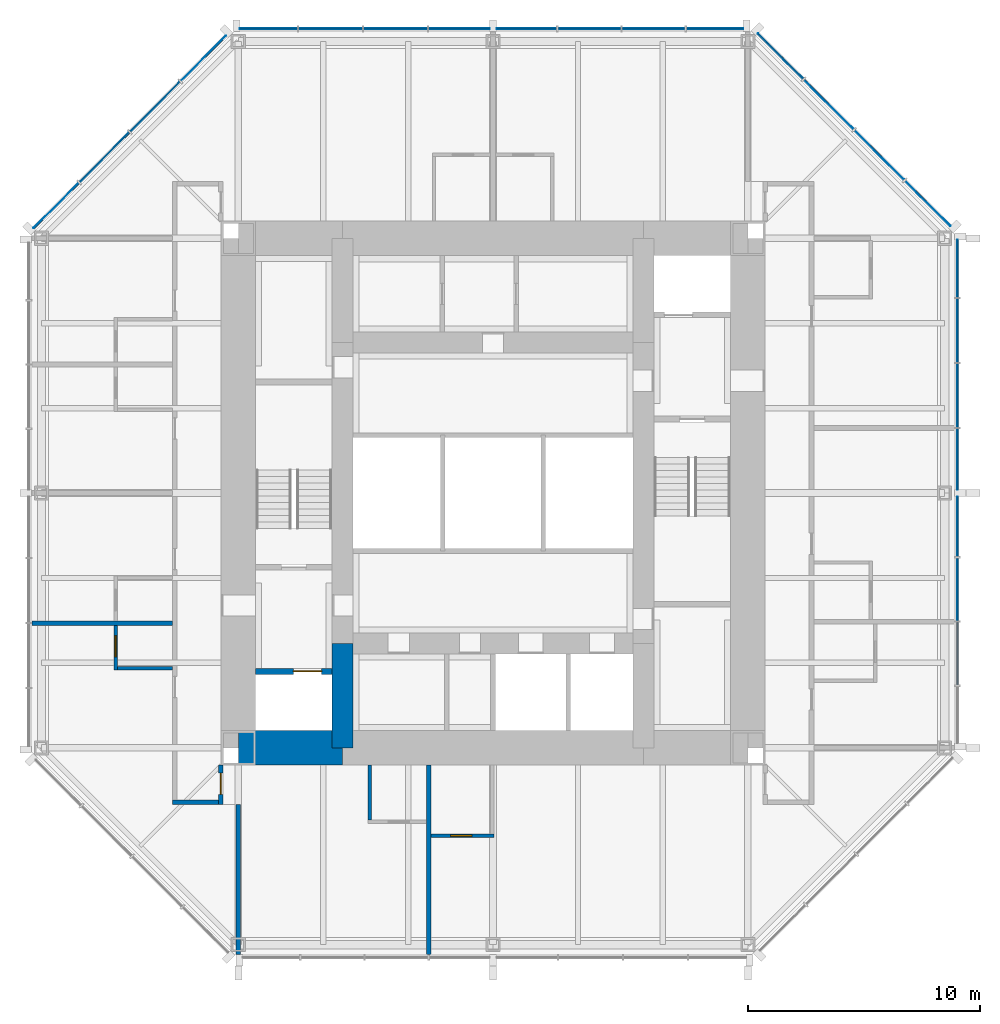
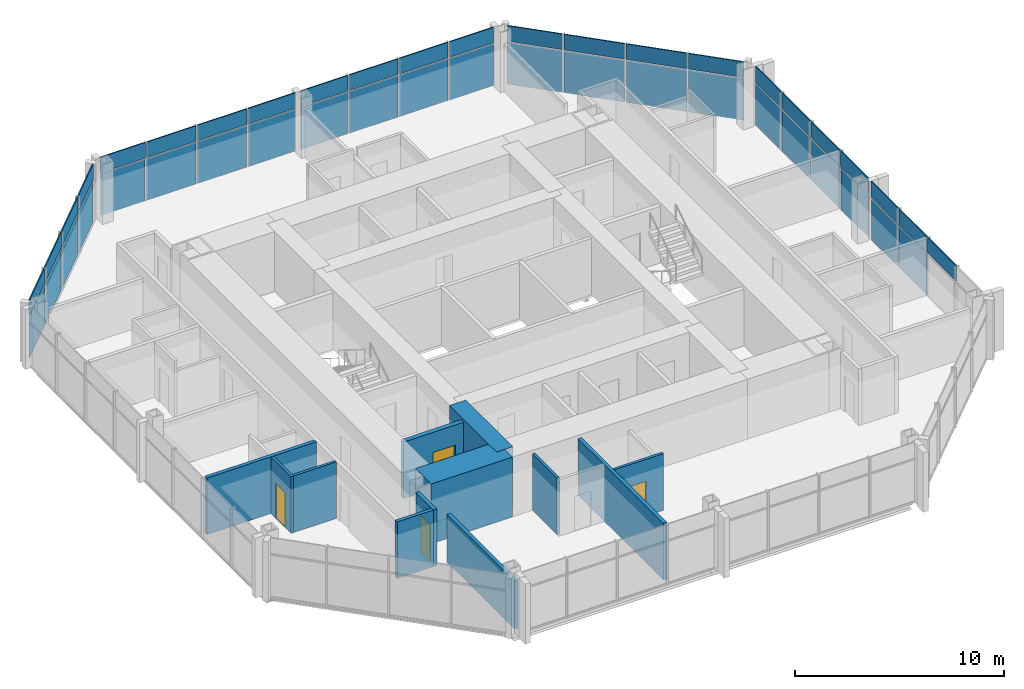
# One storey, part 7 of 11: 45 plates, 12 walls, 4 doors, 4 openings, 4 elements without a shape of their own.
"""IFC4 building model written with IfcOpenShell, lengths in metres."""

from ifc_helpers import new_model, si_unit, direction, frame, frame_2d, origin, origin_2d, place, context, subcontext, project, spatial, rectangle, extrude, material, layer, layer_set, type_object, element, fill, aggregate, save


model = new_model("IFC4")

# Units and contexts
model_context = context("Model", 3, precision=1e-05, world=origin(), true_north=direction((0.0, 1.0)))
body_context = subcontext(model_context, "Body", "Model", "MODEL_VIEW")
ifc_project = project(units=[si_unit("LENGTHUNIT", "METRE"), si_unit("AREAUNIT", "SQUARE_METRE"), si_unit("VOLUMEUNIT", "CUBIC_METRE"), si_unit("PLANEANGLEUNIT", "RADIAN"), si_unit("MASSUNIT", "GRAM", prefix="KILO")], contexts=[model_context])

# Site, building, storey
site_placement = place(None, origin())
site = spatial("IfcSite", under=ifc_project, at=site_placement, CompositionType="ELEMENT")
building_placement = place(site_placement, origin())
building = spatial("IfcBuilding", under=site, at=building_placement, Name="Trevanion Tower", CompositionType="ELEMENT")
storey_placement = place(building_placement, frame((0.0, 0.0, 225.699951171875)))
storey = spatial("IfcBuildingStorey", under=building, at=storey_placement, Name="L54", CompositionType="ELEMENT", Elevation=225.699951171875)

# Curtain wall, plates
ifc_material_1 = material(Name="Aluminium and glass", Category="aluminium")
curtain_wall_type = type_object("IfcCurtainWallType", Name="CW3 curtain wall", PredefinedType="USERDEFINED", material=ifc_material_1)
curtain_wall_1_placement = place(storey_placement, origin())
curtain_wall_1 = element("IfcCurtainWall", 1, at=curtain_wall_1_placement, inside=storey, type_object=curtain_wall_type, Name="CW3 L54 0", ObjectType="UNITISED CURTAIN WALL", PredefinedType="USERDEFINED")
ifc_material_2 = material(Name="Aluminium spandrel panel", Category="aluminium")
ifc_layer_1 = layer(ifc_material_2, 0.06005859375)
ifc_layer_set_1 = layer_set([ifc_layer_1], Name="CW3 spandrel panel")
plate_type_1 = type_object("IfcPlateType", Name="CW3 spandrel panel", PredefinedType="CURTAIN_PANEL", material=ifc_layer_set_1)
plate_1_placement = place(storey_placement, frame((20.050048828125, -6.93603515625, 2.3974609375), z_axis=(0.0, 0.0, 1.0), x_axis=(0.0, 1.0, 0.0)))
plate_1 = element("IfcPlate", 2, at=plate_1_placement, type_object=plate_type_1, Name="CW3 panel 2.2", PredefinedType="CURTAIN_PANEL", context=body_context, shape_type="SweptSolid", body=[
    extrude(rectangle(XDim=2.699462890625, YDim=0.06005859375, at=origin_2d()), origin(), (0.0, 0.0, 1.0), 0.91259765625),
])
plate_2_placement = place(storey_placement, frame((20.050048828125, -4.16162109375, 2.3974609375), z_axis=(0.0, 0.0, 1.0), x_axis=(0.0, 1.0, 0.0)))
plate_2 = element("IfcPlate", 3, at=plate_2_placement, type_object=plate_type_1, Name="CW3 panel 3.2", PredefinedType="CURTAIN_PANEL", context=body_context, shape_type="SweptSolid", body=[
    extrude(rectangle(XDim=2.699462890625, YDim=0.06005859375, at=origin_2d()), origin(), (0.0, 0.0, 1.0), 0.91259765625),
])
plate_3_placement = place(storey_placement, frame((20.050048828125, -1.443603515625, 2.3974609375), z_axis=(0.0, 0.0, 1.0), x_axis=(0.0, 1.0, 0.0)))
plate_3 = element("IfcPlate", 4, at=plate_3_placement, type_object=plate_type_1, Name="CW3 panel 4.2", PredefinedType="CURTAIN_PANEL", context=body_context, shape_type="SweptSolid", body=[
    extrude(rectangle(XDim=2.5869140625, YDim=0.06005859375, at=origin_2d()), origin(), (0.0, 0.0, 1.0), 0.91259765625),
])
plate_4_placement = place(storey_placement, frame((20.050048828125, 1.459716796875, 2.3974609375), z_axis=(0.0, 0.0, 1.0), x_axis=(0.0, 1.0, 0.0)))
plate_4 = element("IfcPlate", 5, at=plate_4_placement, type_object=plate_type_1, Name="CW3 panel 5.2", PredefinedType="CURTAIN_PANEL", context=body_context, shape_type="SweptSolid", body=[
    extrude(rectangle(XDim=2.619384765625, YDim=0.06005859375, at=origin_2d()), origin(), (0.0, 0.0, 1.0), 0.91259765625),
])
plate_5_placement = place(storey_placement, frame((20.050048828125, 4.21044921875, 2.3974609375), z_axis=(0.0, 0.0, 1.0), x_axis=(0.0, 1.0, 0.0)))
plate_5 = element("IfcPlate", 6, at=plate_5_placement, type_object=plate_type_1, Name="CW3 panel 6.2", PredefinedType="CURTAIN_PANEL", context=body_context, shape_type="SweptSolid", body=[
    extrude(rectangle(XDim=2.73193359375, YDim=0.06005859375, at=origin_2d()), origin(), (0.0, 0.0, 1.0), 0.91259765625),
])
plate_6_placement = place(storey_placement, frame((20.050048828125, 7.017333984375, 2.3974609375), z_axis=(0.0, 0.0, 1.0), x_axis=(0.0, 1.0, 0.0)))
plate_6 = element("IfcPlate", 7, at=plate_6_placement, type_object=plate_type_1, Name="CW3 panel 7.2", PredefinedType="CURTAIN_PANEL", context=body_context, shape_type="SweptSolid", body=[
    extrude(rectangle(XDim=2.73193359375, YDim=0.06005859375, at=origin_2d()), origin(), (0.0, 0.0, 1.0), 0.91259765625),
])
plate_7_placement = place(storey_placement, frame((20.050048828125, 9.693115234375, 2.3974609375), z_axis=(0.0, 0.0, 1.0), x_axis=(0.0, 1.0, 0.0)))
plate_7 = element("IfcPlate", 8, at=plate_7_placement, type_object=plate_type_1, Name="CW3 panel 8.2", PredefinedType="CURTAIN_PANEL", context=body_context, shape_type="SweptSolid", body=[
    extrude(rectangle(XDim=2.469482421875, YDim=0.06005859375, at=origin_2d()), origin(), (0.0, 0.0, 1.0), 0.91259765625),
])

curtain_wall_2_placement = place(storey_placement, origin())
curtain_wall_2 = element("IfcCurtainWall", 9, at=curtain_wall_2_placement, inside=storey, type_object=curtain_wall_type, Name="CW3 L54 1", ObjectType="UNITISED CURTAIN WALL", PredefinedType="USERDEFINED")
plate_8_placement = place(storey_placement, frame((18.77392578125, 12.50390625, 2.3974609375), z_axis=(0.0, 0.0, 1.0), x_axis=(-0.707106781187, 0.707106781187, 0.0)))
plate_8 = element("IfcPlate", 10, at=plate_8_placement, type_object=plate_type_1, Name="CW3 panel 1.2", PredefinedType="CURTAIN_PANEL", context=body_context, shape_type="SweptSolid", body=[
    extrude(rectangle(XDim=2.7490234375, YDim=0.06005859375, at=origin_2d()), origin(), (0.0, 0.0, 1.0), 0.91259765625),
])
plate_9_placement = place(storey_placement, frame((16.68408203125, 14.593505859375, 2.3974609375), z_axis=(0.0, 0.0, 1.0), x_axis=(-0.707106781187, 0.707106781187, 0.0)))
plate_9 = element("IfcPlate", 11, at=plate_9_placement, type_object=plate_type_1, Name="CW3 panel 2.2", PredefinedType="CURTAIN_PANEL", context=body_context, shape_type="SweptSolid", body=[
    extrude(rectangle(XDim=3.01171875, YDim=0.06005859375, at=origin_2d()), origin(), (0.0, 0.0, 1.0), 0.91259765625),
])
plate_10_placement = place(storey_placement, frame((14.501708984375, 16.776123046875, 2.3974609375), z_axis=(0.0, 0.0, 1.0), x_axis=(-0.707106781187, 0.707106781187, 0.0)))
plate_10 = element("IfcPlate", 12, at=plate_10_placement, type_object=plate_type_1, Name="CW3 panel 3.2", PredefinedType="CURTAIN_PANEL", context=body_context, shape_type="SweptSolid", body=[
    extrude(rectangle(XDim=3.01171875, YDim=0.06005859375, at=origin_2d()), origin(), (0.0, 0.0, 1.0), 0.91259765625),
])
plate_11_placement = place(storey_placement, frame((12.411865234375, 18.865966796875, 2.3974609375), z_axis=(0.0, 0.0, 1.0), x_axis=(-0.707106781187, 0.707106781187, 0.0)))
plate_11 = element("IfcPlate", 13, at=plate_11_placement, type_object=plate_type_1, Name="CW3 panel 4.2", PredefinedType="CURTAIN_PANEL", context=body_context, shape_type="SweptSolid", body=[
    extrude(rectangle(XDim=2.7490234375, YDim=0.06005859375, at=origin_2d()), origin(), (0.0, 0.0, 1.0), 0.91259765625),
])

curtain_wall_3_placement = place(storey_placement, origin())
curtain_wall_3 = element("IfcCurtainWall", 14, at=curtain_wall_3_placement, inside=storey, type_object=curtain_wall_type, Name="CW3 L54 2", ObjectType="UNITISED CURTAIN WALL", PredefinedType="USERDEFINED")
plate_12_placement = place(storey_placement, frame((9.579345703125, 20.050048828125, 2.3974609375), z_axis=(0.0, 0.0, 1.0), x_axis=(-1.0, 0.0, 0.0)))
plate_12 = element("IfcPlate", 15, at=plate_12_placement, type_object=plate_type_1, Name="CW3 panel 1.2", PredefinedType="CURTAIN_PANEL", context=body_context, shape_type="SweptSolid", body=[
    extrude(rectangle(XDim=2.43701171875, YDim=0.06005859375, at=origin_2d()), origin(), (0.0, 0.0, 1.0), 0.91259765625),
])
plate_13_placement = place(storey_placement, frame((6.93603515625, 20.050048828125, 2.3974609375), z_axis=(0.0, 0.0, 1.0), x_axis=(-1.0, 0.0, 0.0)))
plate_13 = element("IfcPlate", 16, at=plate_13_placement, type_object=plate_type_1, Name="CW3 panel 2.2", PredefinedType="CURTAIN_PANEL", context=body_context, shape_type="SweptSolid", body=[
    extrude(rectangle(XDim=2.699462890625, YDim=0.06005859375, at=origin_2d()), origin(), (0.0, 0.0, 1.0), 0.91259765625),
])
plate_14_placement = place(storey_placement, frame((4.16162109375, 20.050048828125, 2.3974609375), z_axis=(0.0, 0.0, 1.0), x_axis=(-1.0, 0.0, 0.0)))
plate_14 = element("IfcPlate", 17, at=plate_14_placement, type_object=plate_type_1, Name="CW3 panel 3.2", PredefinedType="CURTAIN_PANEL", context=body_context, shape_type="SweptSolid", body=[
    extrude(rectangle(XDim=2.699462890625, YDim=0.06005859375, at=origin_2d()), origin(), (0.0, 0.0, 1.0), 0.91259765625),
])
plate_15_placement = place(storey_placement, frame((1.443603515625, 20.050048828125, 2.3974609375), z_axis=(0.0, 0.0, 1.0), x_axis=(-1.0, 0.0, 0.0)))
plate_15 = element("IfcPlate", 18, at=plate_15_placement, type_object=plate_type_1, Name="CW3 panel 4.2", PredefinedType="CURTAIN_PANEL", context=body_context, shape_type="SweptSolid", body=[
    extrude(rectangle(XDim=2.5869140625, YDim=0.06005859375, at=origin_2d()), origin(), (0.0, 0.0, 1.0), 0.91259765625),
])
plate_16_placement = place(storey_placement, frame((-1.459716796875, 20.050048828125, 2.3974609375), z_axis=(0.0, 0.0, 1.0), x_axis=(-1.0, 0.0, 0.0)))
plate_16 = element("IfcPlate", 19, at=plate_16_placement, type_object=plate_type_1, Name="CW3 panel 5.2", PredefinedType="CURTAIN_PANEL", context=body_context, shape_type="SweptSolid", body=[
    extrude(rectangle(XDim=2.619384765625, YDim=0.06005859375, at=origin_2d()), origin(), (0.0, 0.0, 1.0), 0.91259765625),
])
plate_17_placement = place(storey_placement, frame((-4.21044921875, 20.050048828125, 2.3974609375), z_axis=(0.0, 0.0, 1.0), x_axis=(-1.0, 0.0, 0.0)))
plate_17 = element("IfcPlate", 20, at=plate_17_placement, type_object=plate_type_1, Name="CW3 panel 6.2", PredefinedType="CURTAIN_PANEL", context=body_context, shape_type="SweptSolid", body=[
    extrude(rectangle(XDim=2.73193359375, YDim=0.06005859375, at=origin_2d()), origin(), (0.0, 0.0, 1.0), 0.91259765625),
])
plate_18_placement = place(storey_placement, frame((-7.017333984375, 20.050048828125, 2.3974609375), z_axis=(0.0, 0.0, 1.0), x_axis=(-1.0, 0.0, 0.0)))
plate_18 = element("IfcPlate", 21, at=plate_18_placement, type_object=plate_type_1, Name="CW3 panel 7.2", PredefinedType="CURTAIN_PANEL", context=body_context, shape_type="SweptSolid", body=[
    extrude(rectangle(XDim=2.73193359375, YDim=0.06005859375, at=origin_2d()), origin(), (0.0, 0.0, 1.0), 0.91259765625),
])
plate_19_placement = place(storey_placement, frame((-9.693115234375, 20.050048828125, 2.3974609375), z_axis=(0.0, 0.0, 1.0), x_axis=(-1.0, 0.0, 0.0)))
plate_19 = element("IfcPlate", 22, at=plate_19_placement, type_object=plate_type_1, Name="CW3 panel 8.2", PredefinedType="CURTAIN_PANEL", context=body_context, shape_type="SweptSolid", body=[
    extrude(rectangle(XDim=2.469482421875, YDim=0.06005859375, at=origin_2d()), origin(), (0.0, 0.0, 1.0), 0.91259765625),
])

curtain_wall_4_placement = place(storey_placement, origin())
curtain_wall_4 = element("IfcCurtainWall", 23, at=curtain_wall_4_placement, inside=storey, type_object=curtain_wall_type, Name="CW3 L54 3", ObjectType="UNITISED CURTAIN WALL", PredefinedType="USERDEFINED")
plate_20_placement = place(storey_placement, frame((-12.50390625, 18.77392578125, 2.3974609375), z_axis=(0.0, 0.0, 1.0), x_axis=(-0.707106781187, -0.707106781187, 0.0)))
plate_20 = element("IfcPlate", 24, at=plate_20_placement, type_object=plate_type_1, Name="CW3 panel 1.2", PredefinedType="CURTAIN_PANEL", context=body_context, shape_type="SweptSolid", body=[
    extrude(rectangle(XDim=2.7490234375, YDim=0.06005859375, at=origin_2d()), origin(), (0.0, 0.0, 1.0), 0.91259765625),
])
plate_21_placement = place(storey_placement, frame((-14.593505859375, 16.68408203125, 2.3974609375), z_axis=(0.0, 0.0, 1.0), x_axis=(-0.707106781187, -0.707106781187, 0.0)))
plate_21 = element("IfcPlate", 25, at=plate_21_placement, type_object=plate_type_1, Name="CW3 panel 2.2", PredefinedType="CURTAIN_PANEL", context=body_context, shape_type="SweptSolid", body=[
    extrude(rectangle(XDim=3.01171875, YDim=0.06005859375, at=origin_2d()), origin(), (0.0, 0.0, 1.0), 0.91259765625),
])
plate_22_placement = place(storey_placement, frame((-16.776123046875, 14.501708984375, 2.3974609375), z_axis=(0.0, 0.0, 1.0), x_axis=(-0.707106781187, -0.707106781187, 0.0)))
plate_22 = element("IfcPlate", 26, at=plate_22_placement, type_object=plate_type_1, Name="CW3 panel 3.2", PredefinedType="CURTAIN_PANEL", context=body_context, shape_type="SweptSolid", body=[
    extrude(rectangle(XDim=3.01171875, YDim=0.06005859375, at=origin_2d()), origin(), (0.0, 0.0, 1.0), 0.91259765625),
])
plate_23_placement = place(storey_placement, frame((-18.865966796875, 12.411865234375, 2.3974609375), z_axis=(0.0, 0.0, 1.0), x_axis=(-0.707106781187, -0.707106781187, 0.0)))
plate_23 = element("IfcPlate", 27, at=plate_23_placement, type_object=plate_type_1, Name="CW3 panel 4.2", PredefinedType="CURTAIN_PANEL", context=body_context, shape_type="SweptSolid", body=[
    extrude(rectangle(XDim=2.7490234375, YDim=0.06005859375, at=origin_2d()), origin(), (0.0, 0.0, 1.0), 0.91259765625),
])

# Plate
ifc_material_3 = material(Name="Insulating glass unit", Category="glass")
ifc_layer_2 = layer(ifc_material_3, 0.028076171875)
ifc_layer_set_2 = layer_set([ifc_layer_2], Name="CW3 vision panel")
plate_type_2 = type_object("IfcPlateType", Name="CW3 vision panel", PredefinedType="CURTAIN_PANEL", material=ifc_layer_set_2)
plate_24_placement = place(storey_placement, frame((20.050048828125, -4.16162109375, -0.114990234375), z_axis=(0.0, 0.0, 1.0), x_axis=(0.0, 1.0, 0.0)))
plate_24 = element("IfcPlate", 28, at=plate_24_placement, type_object=plate_type_2, Name="CW3 panel 3.1", PredefinedType="CURTAIN_PANEL", context=body_context, shape_type="SweptSolid", body=[
    extrude(rectangle(XDim=2.699462890625, YDim=0.028076171875, at=origin_2d()), origin(), (0.0, 0.0, 1.0), 2.4375),
])

plate_25_placement = place(storey_placement, frame((20.050048828125, -1.443603515625, -0.114990234375), z_axis=(0.0, 0.0, 1.0), x_axis=(0.0, 1.0, 0.0)))
plate_25 = element("IfcPlate", 29, at=plate_25_placement, type_object=plate_type_2, Name="CW3 panel 4.1", PredefinedType="CURTAIN_PANEL", context=body_context, shape_type="SweptSolid", body=[
    extrude(rectangle(XDim=2.5869140625, YDim=0.028076171875, at=origin_2d()), origin(), (0.0, 0.0, 1.0), 2.4375),
])

plate_26_placement = place(storey_placement, frame((20.050048828125, 1.459716796875, -0.114990234375), z_axis=(0.0, 0.0, 1.0), x_axis=(0.0, 1.0, 0.0)))
plate_26 = element("IfcPlate", 30, at=plate_26_placement, type_object=plate_type_2, Name="CW3 panel 5.1", PredefinedType="CURTAIN_PANEL", context=body_context, shape_type="SweptSolid", body=[
    extrude(rectangle(XDim=2.619384765625, YDim=0.028076171875, at=origin_2d()), origin(), (0.0, 0.0, 1.0), 2.4375),
])

plate_27_placement = place(storey_placement, frame((20.050048828125, 4.21044921875, -0.114990234375), z_axis=(0.0, 0.0, 1.0), x_axis=(0.0, 1.0, 0.0)))
plate_27 = element("IfcPlate", 31, at=plate_27_placement, type_object=plate_type_2, Name="CW3 panel 6.1", PredefinedType="CURTAIN_PANEL", context=body_context, shape_type="SweptSolid", body=[
    extrude(rectangle(XDim=2.73193359375, YDim=0.028076171875, at=origin_2d()), origin(), (0.0, 0.0, 1.0), 2.4375),
])

plate_28_placement = place(storey_placement, frame((20.050048828125, 7.017333984375, -0.114990234375), z_axis=(0.0, 0.0, 1.0), x_axis=(0.0, 1.0, 0.0)))
plate_28 = element("IfcPlate", 32, at=plate_28_placement, type_object=plate_type_2, Name="CW3 panel 7.1", PredefinedType="CURTAIN_PANEL", context=body_context, shape_type="SweptSolid", body=[
    extrude(rectangle(XDim=2.73193359375, YDim=0.028076171875, at=origin_2d()), origin(), (0.0, 0.0, 1.0), 2.4375),
])

plate_29_placement = place(storey_placement, frame((20.050048828125, 9.693115234375, -0.114990234375), z_axis=(0.0, 0.0, 1.0), x_axis=(0.0, 1.0, 0.0)))
plate_29 = element("IfcPlate", 33, at=plate_29_placement, type_object=plate_type_2, Name="CW3 panel 8.1", PredefinedType="CURTAIN_PANEL", context=body_context, shape_type="SweptSolid", body=[
    extrude(rectangle(XDim=2.469482421875, YDim=0.028076171875, at=origin_2d()), origin(), (0.0, 0.0, 1.0), 2.4375),
])

aggregate(curtain_wall_1, [plate_1, plate_24, plate_2, plate_25, plate_3, plate_26, plate_4, plate_27, plate_5, plate_28, plate_6, plate_29, plate_7])

plate_30_placement = place(storey_placement, frame((18.77392578125, 12.50390625, -0.114990234375), z_axis=(0.0, 0.0, 1.0), x_axis=(-0.707106781187, 0.707106781187, 0.0)))
plate_30 = element("IfcPlate", 34, at=plate_30_placement, type_object=plate_type_2, Name="CW3 panel 1.1", PredefinedType="CURTAIN_PANEL", context=body_context, shape_type="SweptSolid", body=[
    extrude(rectangle(XDim=2.7490234375, YDim=0.028076171875, at=origin_2d()), origin(), (0.0, 0.0, 1.0), 2.4375),
])

plate_31_placement = place(storey_placement, frame((16.68408203125, 14.593505859375, -0.114990234375), z_axis=(0.0, 0.0, 1.0), x_axis=(-0.707106781187, 0.707106781187, 0.0)))
plate_31 = element("IfcPlate", 35, at=plate_31_placement, type_object=plate_type_2, Name="CW3 panel 2.1", PredefinedType="CURTAIN_PANEL", context=body_context, shape_type="SweptSolid", body=[
    extrude(rectangle(XDim=3.01171875, YDim=0.028076171875, at=origin_2d()), origin(), (0.0, 0.0, 1.0), 2.4375),
])

plate_32_placement = place(storey_placement, frame((14.501708984375, 16.776123046875, -0.114990234375), z_axis=(0.0, 0.0, 1.0), x_axis=(-0.707106781187, 0.707106781187, 0.0)))
plate_32 = element("IfcPlate", 36, at=plate_32_placement, type_object=plate_type_2, Name="CW3 panel 3.1", PredefinedType="CURTAIN_PANEL", context=body_context, shape_type="SweptSolid", body=[
    extrude(rectangle(XDim=3.01171875, YDim=0.028076171875, at=origin_2d()), origin(), (0.0, 0.0, 1.0), 2.4375),
])

plate_33_placement = place(storey_placement, frame((12.411865234375, 18.865966796875, -0.114990234375), z_axis=(0.0, 0.0, 1.0), x_axis=(-0.707106781187, 0.707106781187, 0.0)))
plate_33 = element("IfcPlate", 37, at=plate_33_placement, type_object=plate_type_2, Name="CW3 panel 4.1", PredefinedType="CURTAIN_PANEL", context=body_context, shape_type="SweptSolid", body=[
    extrude(rectangle(XDim=2.7490234375, YDim=0.028076171875, at=origin_2d()), origin(), (0.0, 0.0, 1.0), 2.4375),
])

aggregate(curtain_wall_2, [plate_30, plate_8, plate_31, plate_9, plate_32, plate_10, plate_33, plate_11])

plate_34_placement = place(storey_placement, frame((9.579345703125, 20.050048828125, -0.114990234375), z_axis=(0.0, 0.0, 1.0), x_axis=(-1.0, 0.0, 0.0)))
plate_34 = element("IfcPlate", 38, at=plate_34_placement, type_object=plate_type_2, Name="CW3 panel 1.1", PredefinedType="CURTAIN_PANEL", context=body_context, shape_type="SweptSolid", body=[
    extrude(rectangle(XDim=2.43701171875, YDim=0.028076171875, at=origin_2d()), origin(), (0.0, 0.0, 1.0), 2.4375),
])

plate_35_placement = place(storey_placement, frame((6.93603515625, 20.050048828125, -0.114990234375), z_axis=(0.0, 0.0, 1.0), x_axis=(-1.0, 0.0, 0.0)))
plate_35 = element("IfcPlate", 39, at=plate_35_placement, type_object=plate_type_2, Name="CW3 panel 2.1", PredefinedType="CURTAIN_PANEL", context=body_context, shape_type="SweptSolid", body=[
    extrude(rectangle(XDim=2.699462890625, YDim=0.028076171875, at=origin_2d()), origin(), (0.0, 0.0, 1.0), 2.4375),
])

plate_36_placement = place(storey_placement, frame((4.16162109375, 20.050048828125, -0.114990234375), z_axis=(0.0, 0.0, 1.0), x_axis=(-1.0, 0.0, 0.0)))
plate_36 = element("IfcPlate", 40, at=plate_36_placement, type_object=plate_type_2, Name="CW3 panel 3.1", PredefinedType="CURTAIN_PANEL", context=body_context, shape_type="SweptSolid", body=[
    extrude(rectangle(XDim=2.699462890625, YDim=0.028076171875, at=origin_2d()), origin(), (0.0, 0.0, 1.0), 2.4375),
])

plate_37_placement = place(storey_placement, frame((1.443603515625, 20.050048828125, -0.114990234375), z_axis=(0.0, 0.0, 1.0), x_axis=(-1.0, 0.0, 0.0)))
plate_37 = element("IfcPlate", 41, at=plate_37_placement, type_object=plate_type_2, Name="CW3 panel 4.1", PredefinedType="CURTAIN_PANEL", context=body_context, shape_type="SweptSolid", body=[
    extrude(rectangle(XDim=2.5869140625, YDim=0.028076171875, at=origin_2d()), origin(), (0.0, 0.0, 1.0), 2.4375),
])

plate_38_placement = place(storey_placement, frame((-1.459716796875, 20.050048828125, -0.114990234375), z_axis=(0.0, 0.0, 1.0), x_axis=(-1.0, 0.0, 0.0)))
plate_38 = element("IfcPlate", 42, at=plate_38_placement, type_object=plate_type_2, Name="CW3 panel 5.1", PredefinedType="CURTAIN_PANEL", context=body_context, shape_type="SweptSolid", body=[
    extrude(rectangle(XDim=2.619384765625, YDim=0.028076171875, at=origin_2d()), origin(), (0.0, 0.0, 1.0), 2.4375),
])

plate_39_placement = place(storey_placement, frame((-4.21044921875, 20.050048828125, -0.114990234375), z_axis=(0.0, 0.0, 1.0), x_axis=(-1.0, 0.0, 0.0)))
plate_39 = element("IfcPlate", 43, at=plate_39_placement, type_object=plate_type_2, Name="CW3 panel 6.1", PredefinedType="CURTAIN_PANEL", context=body_context, shape_type="SweptSolid", body=[
    extrude(rectangle(XDim=2.73193359375, YDim=0.028076171875, at=origin_2d()), origin(), (0.0, 0.0, 1.0), 2.4375),
])

plate_40_placement = place(storey_placement, frame((-7.017333984375, 20.050048828125, -0.114990234375), z_axis=(0.0, 0.0, 1.0), x_axis=(-1.0, 0.0, 0.0)))
plate_40 = element("IfcPlate", 44, at=plate_40_placement, type_object=plate_type_2, Name="CW3 panel 7.1", PredefinedType="CURTAIN_PANEL", context=body_context, shape_type="SweptSolid", body=[
    extrude(rectangle(XDim=2.73193359375, YDim=0.028076171875, at=origin_2d()), origin(), (0.0, 0.0, 1.0), 2.4375),
])

plate_41_placement = place(storey_placement, frame((-9.693115234375, 20.050048828125, -0.114990234375), z_axis=(0.0, 0.0, 1.0), x_axis=(-1.0, 0.0, 0.0)))
plate_41 = element("IfcPlate", 45, at=plate_41_placement, type_object=plate_type_2, Name="CW3 panel 8.1", PredefinedType="CURTAIN_PANEL", context=body_context, shape_type="SweptSolid", body=[
    extrude(rectangle(XDim=2.469482421875, YDim=0.028076171875, at=origin_2d()), origin(), (0.0, 0.0, 1.0), 2.4375),
])

aggregate(curtain_wall_3, [plate_34, plate_12, plate_35, plate_13, plate_36, plate_14, plate_37, plate_15, plate_38, plate_16, plate_39, plate_17, plate_40, plate_18, plate_41, plate_19])

plate_42_placement = place(storey_placement, frame((-12.50390625, 18.77392578125, -0.114990234375), z_axis=(0.0, 0.0, 1.0), x_axis=(-0.707106781187, -0.707106781187, 0.0)))
plate_42 = element("IfcPlate", 46, at=plate_42_placement, type_object=plate_type_2, Name="CW3 panel 1.1", PredefinedType="CURTAIN_PANEL", context=body_context, shape_type="SweptSolid", body=[
    extrude(rectangle(XDim=2.7490234375, YDim=0.028076171875, at=origin_2d()), origin(), (0.0, 0.0, 1.0), 2.4375),
])

plate_43_placement = place(storey_placement, frame((-14.593505859375, 16.68408203125, -0.114990234375), z_axis=(0.0, 0.0, 1.0), x_axis=(-0.707106781187, -0.707106781187, 0.0)))
plate_43 = element("IfcPlate", 47, at=plate_43_placement, type_object=plate_type_2, Name="CW3 panel 2.1", PredefinedType="CURTAIN_PANEL", context=body_context, shape_type="SweptSolid", body=[
    extrude(rectangle(XDim=3.01171875, YDim=0.028076171875, at=origin_2d()), origin(), (0.0, 0.0, 1.0), 2.4375),
])

plate_44_placement = place(storey_placement, frame((-16.776123046875, 14.501708984375, -0.114990234375), z_axis=(0.0, 0.0, 1.0), x_axis=(-0.707106781187, -0.707106781187, 0.0)))
plate_44 = element("IfcPlate", 48, at=plate_44_placement, type_object=plate_type_2, Name="CW3 panel 3.1", PredefinedType="CURTAIN_PANEL", context=body_context, shape_type="SweptSolid", body=[
    extrude(rectangle(XDim=3.01171875, YDim=0.028076171875, at=origin_2d()), origin(), (0.0, 0.0, 1.0), 2.4375),
])

plate_45_placement = place(storey_placement, frame((-18.865966796875, 12.411865234375, -0.114990234375), z_axis=(0.0, 0.0, 1.0), x_axis=(-0.707106781187, -0.707106781187, 0.0)))
plate_45 = element("IfcPlate", 49, at=plate_45_placement, type_object=plate_type_2, Name="CW3 panel 4.1", PredefinedType="CURTAIN_PANEL", context=body_context, shape_type="SweptSolid", body=[
    extrude(rectangle(XDim=2.7490234375, YDim=0.028076171875, at=origin_2d()), origin(), (0.0, 0.0, 1.0), 2.4375),
])

aggregate(curtain_wall_4, [plate_42, plate_20, plate_43, plate_21, plate_44, plate_22, plate_45, plate_23])

# Walls
ifc_material_4 = material(Name="Concrete 10,000 psi", Category="concrete")
ifc_layer_3 = layer(ifc_material_4, 1.5)
ifc_layer_set_3 = layer_set([ifc_layer_3], Name="CW1 core wall 1500")
wall_type_1 = type_object("IfcWallType", Name="CW1 core wall 1500", PredefinedType="SHEAR", material=ifc_layer_set_3)
wall_1_placement = place(storey_placement, frame((-11.0, -11.0, 0.0), z_axis=(0.0, 0.0, 1.0), x_axis=(1.0, 0.0, 0.0)))
element("IfcWall", 50, at=wall_1_placement, inside=storey, type_object=wall_type_1, Name="CW1 CS1 L54", PredefinedType="SHEAR", context=body_context, shape_type="SweptSolid", body=[
    extrude(rectangle(XDim=4.5, YDim=1.5, at=frame_2d((2.25, 0.0))), origin(), (0.0, 0.0, 1.0), 3.5),
])
ifc_material_5 = material(Name="Concrete 10,000 psi", Category="concrete")
ifc_layer_4 = layer(ifc_material_5, 0.89990234375)
ifc_layer_set_4 = layer_set([ifc_layer_4], Name="CW2 core wall 900")
wall_type_2 = type_object("IfcWallType", Name="CW2 core wall 900", PredefinedType="SHEAR", material=ifc_layer_set_4)
wall_2_placement = place(storey_placement, frame((-6.5, -6.5, 0.0), z_axis=(0.0, 0.0, 1.0), x_axis=(0.0, -1.0, 0.0)))
element("IfcWall", 51, at=wall_2_placement, inside=storey, type_object=wall_type_2, Name="CW2 RW3 L54", PredefinedType="SHEAR", context=body_context, shape_type="SweptSolid", body=[
    extrude(rectangle(XDim=4.5, YDim=0.89990234375, at=frame_2d((2.25, 0.0))), origin(), (0.0, 0.0, 1.0), 3.5),
])

# Wall, opening, door
ifc_material_6 = material(Name="Gypsum board on steel studs", Category="steel")
ifc_layer_5 = layer(ifc_material_6, 0.14990234375)
ifc_layer_set_5 = layer_set([ifc_layer_5], Name="PT1 partition 150")
wall_type_3 = type_object("IfcWallType", Name="PT1 partition 150", PredefinedType="PARTITIONING", material=ifc_layer_set_5)
wall_3_placement = place(storey_placement, frame((-16.300048828125, -5.714111328125, 0.0), z_axis=(0.0, 0.0, 1.0), x_axis=(0.0, -1.0, 0.0)))
wall_3 = element("IfcWall", 52, at=wall_3_placement, inside=storey, type_object=wall_type_3, Name="PT1 L54 BA23", PredefinedType="PARTITIONING", context=body_context, shape_type="SweptSolid", body=[
    extrude(rectangle(XDim=1.9248046875, YDim=0.14990234375, at=frame_2d((0.96240234375, 0.0))), origin(), (0.0, 0.0, 1.0), 3.31005859375),
])
opening_1_placement = place(wall_3_placement, frame((0.4423828125, 0.0, 0.0)))
opening_1 = element("IfcOpeningElement", 53, at=opening_1_placement, cuts=wall_3, Name="Opening 54-034", PredefinedType="OPENING", context=body_context, shape_type="SweptSolid", body=[
    extrude(rectangle(XDim=0.9150390625, YDim=2.031982421875, at=frame_2d((0.45751953125, 1.01611328125))), frame((0.0, 0.0849609375, 0.0), z_axis=(0.0, -1.0, 0.0), x_axis=(1.0, 0.0, 0.0)), (0.0, 0.0, 1.0), 0.169921875),
])
ifc_material_7 = material(Name="Timber veneer", Category="wood")
door_type_1 = type_object("IfcDoorType", Name="D7 bathroom door", OperationType="SINGLE_SWING_LEFT", PredefinedType="DOOR", material=ifc_material_7)
door_1_placement = place(opening_1_placement, origin())
door_1 = element("IfcDoor", 54, at=door_1_placement, inside=storey, type_object=door_type_1, Name="Door 54-034", OperationType="SINGLE_SWING_LEFT", OverallHeight=2.031982421875, OverallWidth=0.9150390625, PredefinedType="DOOR", context=body_context, shape_type="SweptSolid", body=[
    extrude(rectangle(XDim=0.9150390625, YDim=2.031982421875, at=frame_2d((0.45751953125, 1.01611328125))), frame((0.0, 0.02490234375, 0.0), z_axis=(0.0, -1.0, 0.0), x_axis=(1.0, 0.0, 0.0)), (0.0, 0.0, 1.0), 0.050048828125),
])
fill(opening_1, door_1)

# Walls
for number, where, z_axis, x_axis, name in (
    (55, (-13.85009765625, -7.56396484375, 0.0), (0.0, 0.0, 1.0), (-1.0, 0.0, 0.0), "PT1 L54 BB23"),
    (56, (-5.324951171875, -11.75, 0.0), (0.0, 0.0, 1.0), (0.0, -1.0, 0.0), "PT1 L54 BB30"),
):
    element("IfcWall", number, at=place(storey_placement, frame(where, z_axis=z_axis, x_axis=x_axis)), inside=storey, type_object=wall_type_3, Name=name, PredefinedType="PARTITIONING", context=body_context, shape_type="SweptSolid", body=[
        extrude(rectangle(XDim=2.375, YDim=0.14990234375, at=frame_2d((1.1875, 0.0))), origin(), (0.0, 0.0, 1.0), 3.31005859375),
    ])

# Wall, opening, door
wall_4_placement = place(storey_placement, frame((-2.675048828125, -14.800048828125, 0.0), z_axis=(0.0, 0.0, 1.0), x_axis=(1.0, 0.0, 0.0)))
wall_4 = element("IfcWall", 57, at=wall_4_placement, inside=storey, type_object=wall_type_3, Name="PT1 L54 BA31", PredefinedType="PARTITIONING", context=body_context, shape_type="SweptSolid", body=[
    extrude(rectangle(XDim=2.72509765625, YDim=0.14990234375, at=frame_2d((1.362548828125, 0.0))), origin(), (0.0, 0.0, 1.0), 3.31005859375),
])
opening_2_placement = place(wall_4_placement, frame((0.842529296875, 0.0, 0.0)))
opening_2 = element("IfcOpeningElement", 58, at=opening_2_placement, cuts=wall_4, Name="Opening 54-039", PredefinedType="OPENING", context=body_context, shape_type="SweptSolid", body=[
    extrude(rectangle(XDim=0.9150390625, YDim=2.031982421875, at=frame_2d((0.45751953125, 1.01611328125))), frame((0.0, 0.0849609375, 0.0), z_axis=(0.0, -1.0, 0.0), x_axis=(1.0, 0.0, 0.0)), (0.0, 0.0, 1.0), 0.169921875),
])
door_2_placement = place(opening_2_placement, origin())
door_2 = element("IfcDoor", 59, at=door_2_placement, inside=storey, type_object=door_type_1, Name="Door 54-039", OperationType="SINGLE_SWING_LEFT", OverallHeight=2.031982421875, OverallWidth=0.9150390625, PredefinedType="DOOR", context=body_context, shape_type="SweptSolid", body=[
    extrude(rectangle(XDim=0.9150390625, YDim=2.031982421875, at=frame_2d((0.45751953125, 1.01611328125))), frame((0.0, 0.02490234375, 0.0), z_axis=(0.0, -1.0, 0.0), x_axis=(1.0, 0.0, 0.0)), (0.0, 0.0, 1.0), 0.050048828125),
])
fill(opening_2, door_2)

ifc_material_8 = material(Name="Concrete masonry, grouted", Category="masonry")
ifc_layer_6 = layer(ifc_material_8, 0.199951171875)
ifc_layer_set_6 = layer_set([ifc_layer_6], Name="PT2 partition 200 1 HR")
wall_type_4 = type_object("IfcWallType", Name="PT2 partition 200 1 HR", PredefinedType="PARTITIONING", material=ifc_layer_set_6)
wall_5_placement = place(storey_placement, frame((-11.75, -11.75, 0.0), z_axis=(0.0, 0.0, 1.0), x_axis=(0.0, -1.0, 0.0)))
wall_5 = element("IfcWall", 60, at=wall_5_placement, inside=storey, type_object=wall_type_4, Name="PT2 L54 HO3a", PredefinedType="PARTITIONING", context=body_context, shape_type="SweptSolid", body=[
    extrude(rectangle(XDim=1.699951171875, YDim=0.199951171875, at=frame_2d((0.85009765625, 0.0))), origin(), (0.0, 0.0, 1.0), 3.31005859375),
])
opening_3_placement = place(wall_5_placement, frame((0.342529296875, 0.0, 0.0)))
opening_3 = element("IfcOpeningElement", 61, at=opening_3_placement, cuts=wall_5, Name="Opening 54-036", PredefinedType="OPENING", context=body_context, shape_type="SweptSolid", body=[
    extrude(rectangle(XDim=0.9150390625, YDim=2.134033203125, at=frame_2d((0.45751953125, 1.06689453125))), frame((0.0, 0.10986328125, 0.0), z_axis=(0.0, -1.0, 0.0), x_axis=(1.0, 0.0, 0.0)), (0.0, 0.0, 1.0), 0.219970703125),
])
ifc_material_9 = material(Name="Timber veneer, fire rated", Category="wood")
door_type_2 = type_object("IfcDoorType", Name="D6 guest room entrance door", OperationType="SINGLE_SWING_LEFT", PredefinedType="DOOR", material=ifc_material_9)
door_3_placement = place(opening_3_placement, origin())
door_3 = element("IfcDoor", 62, at=door_3_placement, inside=storey, type_object=door_type_2, Name="Door 54-036", OperationType="SINGLE_SWING_LEFT", OverallHeight=2.134033203125, OverallWidth=0.9150390625, PredefinedType="DOOR", context=body_context, shape_type="SweptSolid", body=[
    extrude(rectangle(XDim=0.9150390625, YDim=2.134033203125, at=frame_2d((0.45751953125, 1.06689453125))), frame((0.0, 0.02490234375, 0.0), z_axis=(0.0, -1.0, 0.0), x_axis=(1.0, 0.0, 0.0)), (0.0, 0.0, 1.0), 0.050048828125),
])
fill(opening_3, door_3)

# Walls
wall_6_placement = place(storey_placement, frame((-13.85009765625, -13.35009765625, 0.0), z_axis=(0.0, 0.0, 1.0), x_axis=(1.0, 0.0, 0.0)))
element("IfcWall", 63, at=wall_6_placement, inside=storey, type_object=wall_type_4, Name="PT2 L54 HC3ca", PredefinedType="PARTITIONING", context=body_context, shape_type="SweptSolid", body=[
    extrude(rectangle(XDim=2.0, YDim=0.199951171875, at=frame_2d((1.0, 0.0))), origin(), (0.0, 0.0, 1.0), 3.31005859375),
])
wall_7_placement = place(storey_placement, frame((-13.85009765625, -5.614013671875, 0.0), z_axis=(0.0, 0.0, 1.0), x_axis=(-1.0, 0.0, 0.0)))
element("IfcWall", 64, at=wall_7_placement, inside=storey, type_object=wall_type_4, Name="PT2 L54 HD23", PredefinedType="PARTITIONING", context=body_context, shape_type="SweptSolid", body=[
    extrude(rectangle(XDim=6.06494140625, YDim=0.199951171875, at=frame_2d((3.032470703125, 0.0))), origin(), (0.0, 0.0, 1.0), 3.31005859375),
])
wall_8_placement = place(storey_placement, frame((-11.0, -13.449951171875, 0.0), z_axis=(0.0, 0.0, 1.0), x_axis=(0.0, -1.0, 0.0)))
element("IfcWall", 65, at=wall_8_placement, inside=storey, type_object=wall_type_4, Name="PT2 L54 HD30", PredefinedType="PARTITIONING", context=body_context, shape_type="SweptSolid", body=[
    extrude(rectangle(XDim=6.465087890625, YDim=0.199951171875, at=frame_2d((3.232421875, 0.0))), origin(), (0.0, 0.0, 1.0), 2.802001953125),
])
wall_9_placement = place(storey_placement, frame((-2.77490234375, -11.75, 0.0), z_axis=(0.0, 0.0, 1.0), x_axis=(0.0, -1.0, 0.0)))
element("IfcWall", 66, at=wall_9_placement, inside=storey, type_object=wall_type_4, Name="PT2 L54 HD31", PredefinedType="PARTITIONING", context=body_context, shape_type="SweptSolid", body=[
    extrude(rectangle(XDim=8.1650390625, YDim=0.199951171875, at=frame_2d((4.08251953125, 0.0))), origin(), (0.0, 0.0, 1.0), 3.31005859375),
])

# Wall, opening, door
ifc_material_10 = material(Name="Concrete masonry, grouted, two-hour", Category="masonry")
ifc_layer_7 = layer(ifc_material_10, 0.25)
ifc_layer_set_7 = layer_set([ifc_layer_7], Name="PT3 partition 250 2 HR")
wall_type_5 = type_object("IfcWallType", Name="PT3 partition 250 2 HR", PredefinedType="PARTITIONING", material=ifc_layer_set_7)
wall_10_placement = place(storey_placement, frame((-6.949951171875, -7.699951171875, 0.0), z_axis=(0.0, 0.0, 1.0), x_axis=(-1.0, 0.0, 0.0)))
wall_10 = element("IfcWall", 67, at=wall_10_placement, inside=storey, type_object=wall_type_5, Name="PT3 L54 WP3", PredefinedType="PARTITIONING", context=body_context, shape_type="SweptSolid", body=[
    extrude(rectangle(XDim=3.300048828125, YDim=0.25, at=frame_2d((1.64990234375, 0.0))), origin(), (0.0, 0.0, 1.0), 3.31005859375),
])
opening_4_placement = place(wall_10_placement, frame((0.449951171875, 0.0, 0.0)))
opening_4 = element("IfcOpeningElement", 68, at=opening_4_placement, cuts=wall_10, Name="Opening 54-008", PredefinedType="OPENING", context=body_context, shape_type="SweptSolid", body=[
    extrude(rectangle(XDim=1.218994140625, YDim=2.134033203125, at=frame_2d((0.609375, 1.06689453125))), frame((0.0, 0.135009765625, 0.0), z_axis=(0.0, -1.0, 0.0), x_axis=(1.0, 0.0, 0.0)), (0.0, 0.0, 1.0), 0.27001953125),
])
ifc_material_11 = material(Name="Stainless steel, fire rated", Category="steel")
door_type_3 = type_object("IfcDoorType", Name="LD2 fire service lift landing door", OperationType="SLIDING_TO_LEFT", PredefinedType="DOOR", material=ifc_material_11)
door_4_placement = place(opening_4_placement, origin())
door_4 = element("IfcDoor", 69, at=door_4_placement, inside=storey, type_object=door_type_3, Name="Door 54-008", OperationType="SLIDING_TO_LEFT", OverallHeight=2.134033203125, OverallWidth=1.218994140625, PredefinedType="DOOR", context=body_context, shape_type="SweptSolid", body=[
    extrude(rectangle(XDim=1.218994140625, YDim=2.134033203125, at=frame_2d((0.609375, 1.06689453125))), frame((0.0, 0.02490234375, 0.0), z_axis=(0.0, -1.0, 0.0), x_axis=(1.0, 0.0, 0.0)), (0.0, 0.0, 1.0), 0.050048828125),
])
fill(opening_4, door_4)

save(model, "model.ifc")
